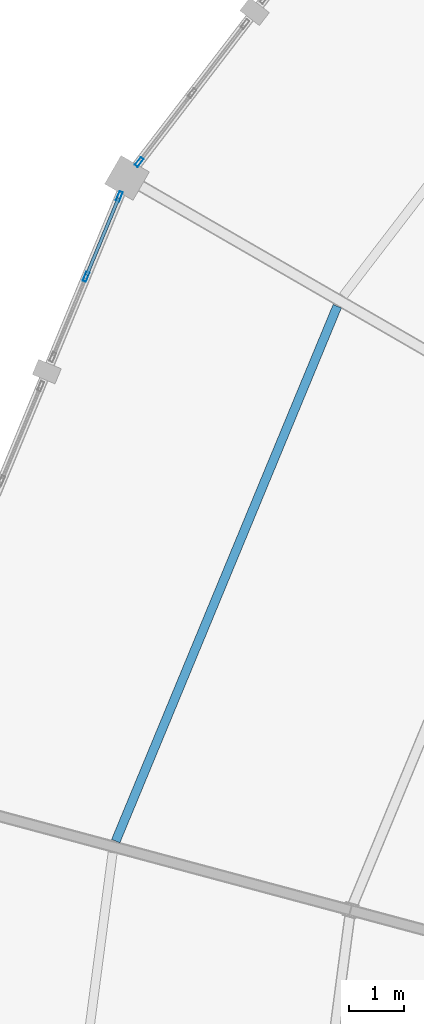
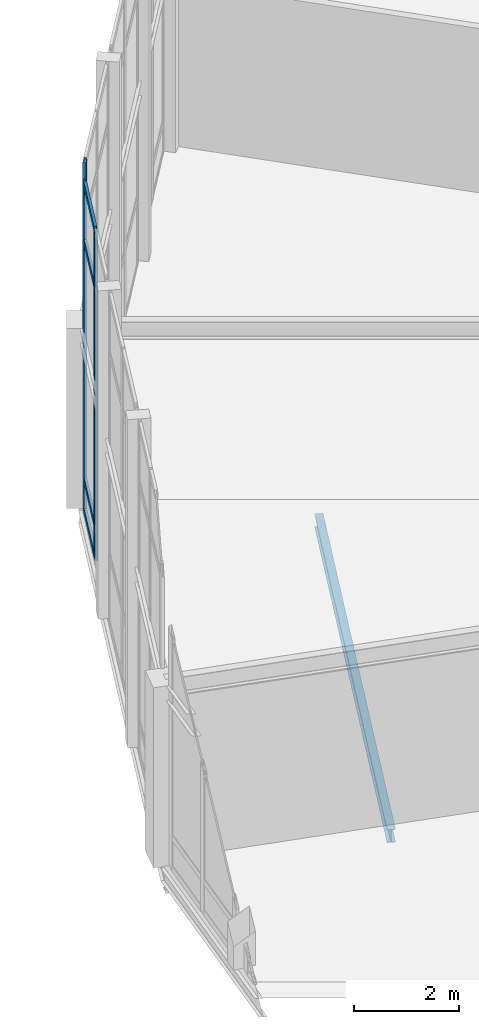
# One storey, part 83 of 200: 7 members, 1 beam, 2 elements without a shape of their own.
"""IFC4 building model written with IfcOpenShell, lengths in metres."""

from ifc_helpers import new_model, si_unit, direction, frame, origin, origin_2d, place, context, subcontext, project, spatial, hollow_rectangle, i_section, extrude, material, material_profile, profile_set, type_object, element, aggregate, save


model = new_model("IFC4")

# Units and contexts
model_context = context("Model", 3, precision=1e-05, world=origin(), true_north=direction((0.0, 1.0)))
body_context = subcontext(model_context, "Body", "Model", "MODEL_VIEW")
ifc_project = project(units=[si_unit("LENGTHUNIT", "METRE"), si_unit("AREAUNIT", "SQUARE_METRE"), si_unit("VOLUMEUNIT", "CUBIC_METRE"), si_unit("PLANEANGLEUNIT", "RADIAN"), si_unit("MASSUNIT", "GRAM", prefix="KILO")], contexts=[model_context])

# Site, building, storey
site_placement = place(None, origin())
site = spatial("IfcSite", under=ifc_project, at=site_placement, CompositionType="ELEMENT")
building_placement = place(site_placement, origin())
building = spatial("IfcBuilding", under=site, at=building_placement, Name="Vondelvale Polytechnic", CompositionType="ELEMENT")
storey_placement = place(building_placement, frame((0.0, 0.0, 13.800048828125)))
storey = spatial("IfcBuildingStorey", under=building, at=storey_placement, Name="L03", CompositionType="ELEMENT", Elevation=13.800048828125)

# Curtain wall, member
ifc_material_1 = material(Name="Glulam GL18 structural Tasmanian oak (fb = 42 MPa)", Category="wood")
curtain_wall_type = type_object("IfcCurtainWallType", Name="CW-RING-OUTER", PredefinedType="NOTDEFINED", material=ifc_material_1)
curtain_wall_1_placement = place(storey_placement, origin())
curtain_wall_1 = element("IfcCurtainWall", 1, at=curtain_wall_1_placement, inside=storey, type_object=curtain_wall_type, Name="L03 architectural curtain wall CW-04-224", PredefinedType="NOTDEFINED")
ifc_material_2 = material(Name="Anodised extruded aluminium 6063-T6", Category="aluminium")
ifc_material_profile_1 = material_profile(ifc_material_2, hollow_rectangle(XDim=0.06494140625, YDim=0.179931640625, WallThickness=0.00390625, at=origin_2d()), Name="CW-MUL-180x65")
ifc_profile_set_1 = profile_set([ifc_material_profile_1], Name="Anodised extruded aluminium 6063-T6")
member_type_1 = type_object("IfcMemberType", Name="CW-MUL-65x180", PredefinedType="MULLION", material=ifc_profile_set_1)
member_1_placement = place(storey_placement, frame((62.385009765625, 95.289794921875, 0.0), z_axis=(0.0, 0.0, 1.0), x_axis=(0.793333825656, -0.608786860133, 0.0)))
member_1 = element("IfcMember", 2, at=member_1_placement, type_object=member_type_1, Name="CW-04-224 mullion 3", PredefinedType="MULLION", context=body_context, shape_type="SweptSolid", body=[
    extrude(hollow_rectangle(XDim=0.06494140625, YDim=0.179931640625, WallThickness=0.00390625, at=origin_2d()), origin(), (0.0, 0.0, 1.0), 7.661376953125),
])
aggregate(curtain_wall_1, [member_1])

# Curtain wall, members
curtain_wall_2_placement = place(storey_placement, origin())
curtain_wall_2 = element("IfcCurtainWall", 3, at=curtain_wall_2_placement, inside=storey, type_object=curtain_wall_type, Name="L03 architectural curtain wall CW-04-238", PredefinedType="NOTDEFINED")
member_2_placement = place(storey_placement, frame((62.02294921875, 94.66259765625, 0.0), z_axis=(0.0, 0.0, 1.0), x_axis=(0.923882033442, -0.382677394529, 0.0)))
member_2 = element("IfcMember", 4, at=member_2_placement, type_object=member_type_1, Name="CW-04-238 mullion 1", PredefinedType="MULLION", context=body_context, shape_type="SweptSolid", body=[
    extrude(hollow_rectangle(XDim=0.06494140625, YDim=0.179931640625, WallThickness=0.00390625, at=origin_2d()), origin(), (0.0, 0.0, 1.0), 7.661376953125),
])
member_3_placement = place(storey_placement, frame((61.41259765625, 93.18896484375, 0.0), z_axis=(0.0, 0.0, 1.0), x_axis=(0.923882033442, -0.382677394529, 0.0)))
member_3 = element("IfcMember", 5, at=member_3_placement, type_object=member_type_1, Name="CW-04-238 mullion 2", PredefinedType="MULLION", context=body_context, shape_type="SweptSolid", body=[
    extrude(hollow_rectangle(XDim=0.06494140625, YDim=0.179931640625, WallThickness=0.00390625, at=origin_2d()), origin(), (0.0, 0.0, 1.0), 7.661376953125),
])
ifc_material_profile_2 = material_profile(ifc_material_2, hollow_rectangle(XDim=0.06005859375, YDim=0.139892578125, WallThickness=0.00341796875, at=origin_2d()), Name="CW-TRN-140x60")
ifc_profile_set_2 = profile_set([ifc_material_profile_2], Name="Anodised extruded aluminium 6063-T6")
member_type_2 = type_object("IfcMemberType", Name="CW-TRN-60x140", PredefinedType="USERDEFINED", material=ifc_profile_set_2)
member_4_placement = place(storey_placement, frame((62.0107421875, 94.632568359375, 0.030029296875), z_axis=(-0.382779237206, -0.923839843027, 0.0), x_axis=(0.923839843027, -0.382779237206, 0.0)))
member_4 = element("IfcMember", 6, at=member_4_placement, type_object=member_type_2, Name="CW-04-238 transom 1.1", ObjectType="TRANSOM", PredefinedType="USERDEFINED", context=body_context, shape_type="SweptSolid", body=[
    extrude(hollow_rectangle(XDim=0.06005859375, YDim=0.139892578125, WallThickness=0.00341796875, at=origin_2d()), origin(), (0.0, 0.0, 1.0), 1.530029296875),
])
member_5_placement = place(storey_placement, frame((62.0107421875, 94.632568359375, 0.75), z_axis=(-0.382779237206, -0.923839843027, 0.0), x_axis=(0.923839843027, -0.382779237206, 0.0)))
member_5 = element("IfcMember", 7, at=member_5_placement, type_object=member_type_2, Name="CW-04-238 transom 1.2", ObjectType="TRANSOM", PredefinedType="USERDEFINED", context=body_context, shape_type="SweptSolid", body=[
    extrude(hollow_rectangle(XDim=0.06005859375, YDim=0.139892578125, WallThickness=0.00341796875, at=origin_2d()), origin(), (0.0, 0.0, 1.0), 1.530029296875),
])
member_6_placement = place(storey_placement, frame((62.0107421875, 94.632568359375, 6.311279296875), z_axis=(-0.382779237206, -0.923839843027, 0.0), x_axis=(0.923839843027, -0.382779237206, 0.0)))
member_6 = element("IfcMember", 8, at=member_6_placement, type_object=member_type_2, Name="CW-04-238 transom 1.3", ObjectType="TRANSOM", PredefinedType="USERDEFINED", context=body_context, shape_type="SweptSolid", body=[
    extrude(hollow_rectangle(XDim=0.06005859375, YDim=0.139892578125, WallThickness=0.00341796875, at=origin_2d()), origin(), (0.0, 0.0, 1.0), 1.530029296875),
])
member_7_placement = place(storey_placement, frame((62.0107421875, 94.632568359375, 7.63134765625), z_axis=(-0.382779237206, -0.923839843027, 0.0), x_axis=(0.923839843027, -0.382779237206, 0.0)))
member_7 = element("IfcMember", 9, at=member_7_placement, type_object=member_type_2, Name="CW-04-238 transom 1.4", ObjectType="TRANSOM", PredefinedType="USERDEFINED", context=body_context, shape_type="SweptSolid", body=[
    extrude(hollow_rectangle(XDim=0.06005859375, YDim=0.139892578125, WallThickness=0.00341796875, at=origin_2d()), origin(), (0.0, 0.0, 1.0), 1.530029296875),
])
aggregate(curtain_wall_2, [member_2, member_3, member_4, member_5, member_6, member_7])

# Beam
ifc_material_3 = material(Name="Steel 300PLUS (fy = 300 MPa)", Category="steel")
ifc_material_profile_3 = material_profile(ifc_material_3, i_section(OverallWidth=0.1650390625, OverallDepth=0.303955078125, WebThickness=0.006103515625, FlangeThickness=0.01025390625, FilletRadius=0.011474609375, at=origin_2d()), Name="310UB40.4")
ifc_profile_set_3 = profile_set([ifc_material_profile_3], Name="Steel 300PLUS (fy = 300 MPa)")
beam_type = type_object("IfcBeamType", Name="JST-UB310", PredefinedType="JOIST", material=ifc_profile_set_3)
beam_placement = place(storey_placement, frame((66.017822265625, 92.6484375, -0.402099609375), z_axis=(-0.382666002839, -0.923886751865, 0.0), x_axis=(0.923886751865, -0.382666002839, 0.0)))
element("IfcBeam", 10, at=beam_placement, inside=storey, type_object=beam_type, Name="L03 RJ J-05", PredefinedType="JOIST", context=body_context, shape_type="SweptSolid", body=[
    extrude(i_section(OverallWidth=0.1650390625, OverallDepth=0.303955078125, WebThickness=0.006103515625, FlangeThickness=0.01025390625, FilletRadius=0.011474609375, at=origin_2d()), origin(), (0.0, 0.0, 1.0), 10.61376953125),
])

save(model, "model.ifc")
